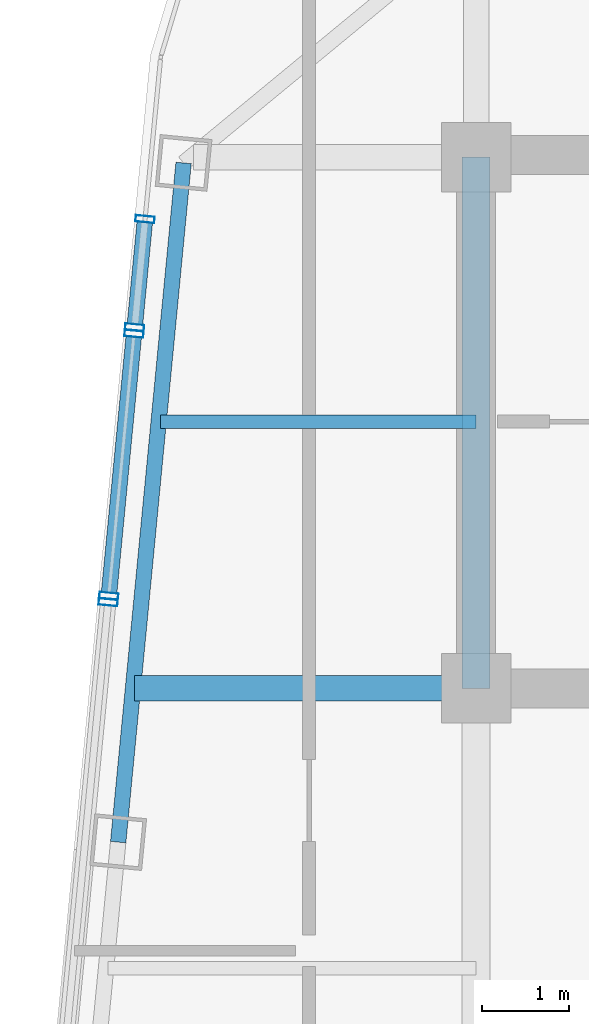
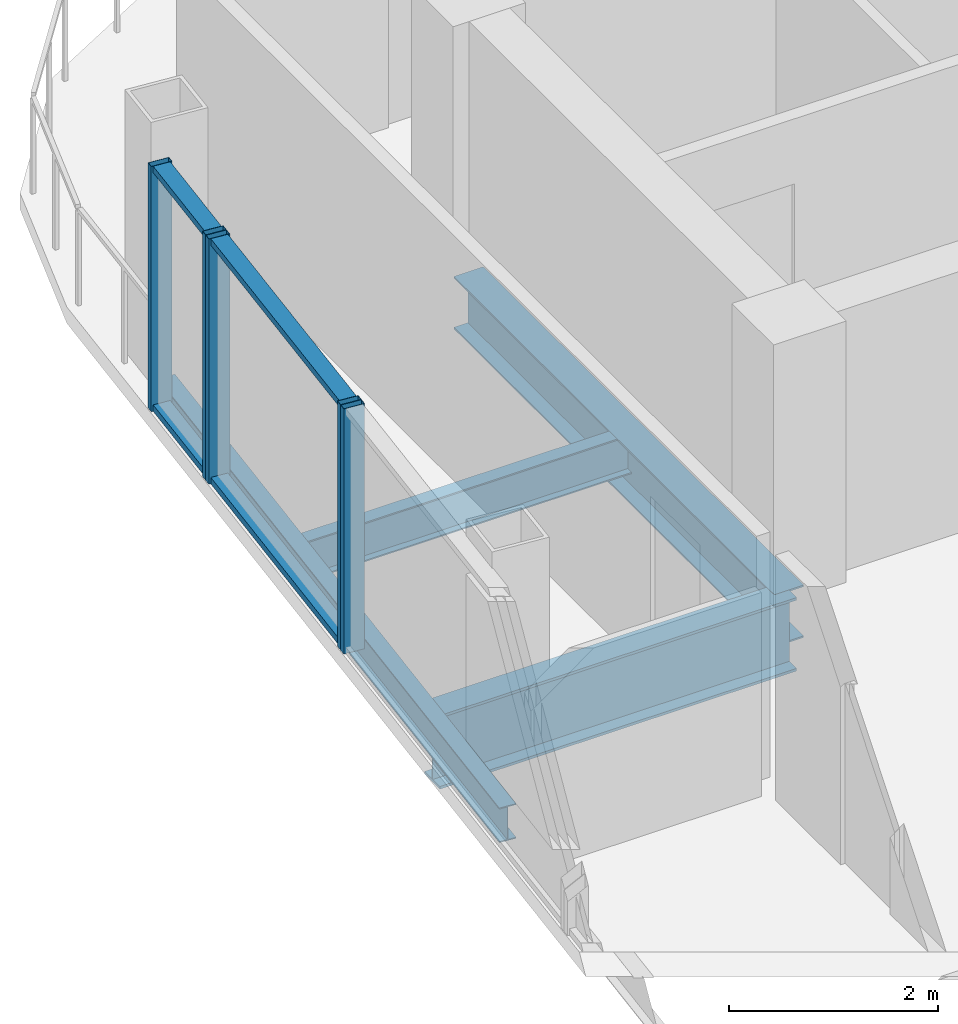
# One storey, part 9 of 23: 9 members, 4 beams, 3 elements without a shape of their own.
"""IFC4 building model written with IfcOpenShell, lengths in metres."""

from ifc_helpers import new_model, si_unit, direction, frame, origin, origin_2d, place, context, subcontext, project, spatial, hollow_rectangle, i_section, extrude, material, layer, layer_set, material_profile, profile_set, type_object, element, aggregate, save


model = new_model("IFC4")

# Units and contexts
model_context = context("Model", 3, precision=1e-05, world=origin(), true_north=direction((0.0, 1.0)))
body_context = subcontext(model_context, "Body", "Model", "MODEL_VIEW")
ifc_project = project(units=[si_unit("LENGTHUNIT", "METRE"), si_unit("AREAUNIT", "SQUARE_METRE"), si_unit("VOLUMEUNIT", "CUBIC_METRE"), si_unit("PLANEANGLEUNIT", "RADIAN"), si_unit("MASSUNIT", "GRAM", prefix="KILO")], contexts=[model_context])

# Site, building, storey
site_placement = place(None, origin())
site = spatial("IfcSite", under=ifc_project, at=site_placement, CompositionType="ELEMENT")
building_placement = place(site_placement, origin())
building = spatial("IfcBuilding", under=site, at=building_placement, Name="Qhalaya Broadcast Tower", CompositionType="ELEMENT")
storey_placement = place(building_placement, frame((0.0, 0.0, 261.14990234375)))
storey = spatial("IfcBuildingStorey", under=building, at=storey_placement, Name="L77", CompositionType="ELEMENT", Elevation=261.14990234375)

# Beams
ifc_material_1 = material(Name="Structural Steel ASTM A992 Grade 50", Category="steel")
ifc_material_profile_1 = material_profile(ifc_material_1, i_section(OverallWidth=0.154052734375, OverallDepth=0.458984375, WebThickness=0.009033203125, FlangeThickness=0.015380859375, at=origin_2d()), Name="W18X46")
ifc_profile_set_1 = profile_set([ifc_material_profile_1], Name="Structural Steel ASTM A992 Grade 50")
beam_type_1 = type_object("IfcBeamType", Name="Composite Floor Joist J04", PredefinedType="JOIST", material=ifc_profile_set_1)
beam_1_placement = place(storey_placement, frame((-13.015625, 6.89990234375, -0.41943359375), z_axis=(1.0, 0.0, 0.0), x_axis=(0.0, 1.0, 0.0)))
element("IfcBeam", 1, at=beam_1_placement, inside=storey, type_object=beam_type_1, Name="L77 J04 L77-JWE5W-1", PredefinedType="JOIST", context=body_context, shape_type="SweptSolid", body=[
    extrude(i_section(OverallWidth=0.154052734375, OverallDepth=0.458984375, WebThickness=0.009033203125, FlangeThickness=0.015380859375, at=origin_2d()), origin(), (0.0, 0.0, 1.0), 3.640625),
])
ifc_material_profile_2 = material_profile(ifc_material_1, i_section(OverallWidth=0.323974609375, OverallDepth=0.612060546875, WebThickness=0.0126953125, FlangeThickness=0.01904296875, at=origin_2d()), Name="W24X104")
ifc_profile_set_2 = profile_set([ifc_material_profile_2], Name="Structural Steel ASTM A992 Grade 50")
beam_type_2 = type_object("IfcBeamType", Name="Core Frame Tie Beam B04", PredefinedType="BEAM", material=ifc_profile_set_2)
beam_2_placement = place(storey_placement, frame((-9.375, 3.824951171875, -0.495849609375), z_axis=(0.0, 1.0, 0.0), x_axis=(-1.0, 0.0, 0.0)))
element("IfcBeam", 2, at=beam_2_placement, inside=storey, type_object=beam_type_2, Name="L77 B04 L77-CCN2", PredefinedType="BEAM", context=body_context, shape_type="SweptSolid", body=[
    extrude(i_section(OverallWidth=0.323974609375, OverallDepth=0.612060546875, WebThickness=0.0126953125, FlangeThickness=0.01904296875, at=origin_2d()), origin(), (0.0, 0.0, 1.0), 6.125),
])

# Curtain wall, members
ifc_material_2 = material(Name="Fired Architectural Terracotta", Category="masonry")
ifc_layer_1 = layer(ifc_material_2, 0.219970703125, Name="Fired Architectural Terracotta")
ifc_layer_set_1 = layer_set([ifc_layer_1], Name="Fired Architectural Terracotta")
curtain_wall_type_1 = type_object("IfcCurtainWallType", Name="Block-Cap Unitised Terracotta Spandrel Wall CW-07", PredefinedType="NOTDEFINED", material=ifc_layer_set_1)
curtain_wall_1_placement = place(storey_placement, origin())
curtain_wall_1 = element("IfcCurtainWall", 3, at=curtain_wall_1_placement, inside=storey, type_object=curtain_wall_type_1, Name="L77 Unitised Curtain Wall L77-CW-W1", PredefinedType="NOTDEFINED")
ifc_material_3 = material(Name="Anodised Aluminium 6063-T6", Category="aluminium")
ifc_material_profile_3 = material_profile(ifc_material_3, hollow_rectangle(XDim=0.074951171875, YDim=0.219970703125, WallThickness=0.00390625, at=origin_2d()), Name="ALU-MUL 75x220x4")
ifc_profile_set_3 = profile_set([ifc_material_profile_3], Name="Anodised Aluminium 6063-T6")
member_type_1 = type_object("IfcMemberType", Name="Unitised Curtain-Wall Mullion M01", PredefinedType="MULLION", material=ifc_profile_set_3)
member_1_placement = place(storey_placement, frame((-13.192626953125, 9.235107421875, 0.0), z_axis=(0.0, 0.0, 1.0), x_axis=(-0.095857322215, -0.995395084264, 0.0)))
member_1 = element("IfcMember", 4, at=member_1_placement, type_object=member_type_1, Name="CW-07 mullion 1", PredefinedType="MULLION", context=body_context, shape_type="SweptSolid", body=[
    extrude(hollow_rectangle(XDim=0.074951171875, YDim=0.219970703125, WallThickness=0.00390625, at=origin_2d()), origin(), (0.0, 0.0, 1.0), 2.860107421875),
])
member_2_placement = place(storey_placement, frame((-13.312744140625, 7.98779296875, 0.0), z_axis=(0.0, 0.0, 1.0), x_axis=(-0.095857322215, -0.995395084264, 0.0)))
member_2 = element("IfcMember", 5, at=member_2_placement, type_object=member_type_1, Name="CW-07 mullion 2", PredefinedType="MULLION", context=body_context, shape_type="SweptSolid", body=[
    extrude(hollow_rectangle(XDim=0.074951171875, YDim=0.219970703125, WallThickness=0.00390625, at=origin_2d()), origin(), (0.0, 0.0, 1.0), 2.860107421875),
])

ifc_material_4 = material(Name="Solar-Control Low-E Triple Glazing", Category="glass")
ifc_layer_2 = layer(ifc_material_4, 0.219970703125, Name="Solar-Control Low-E Triple Glazing")
ifc_layer_set_2 = layer_set([ifc_layer_2], Name="Solar-Control Low-E Triple Glazing")
curtain_wall_type_2 = type_object("IfcCurtainWallType", Name="High-Altitude Upper-Shaft Triple Low-E Curtain Wall CW-04", PredefinedType="NOTDEFINED", material=ifc_layer_set_2)
curtain_wall_2_placement = place(storey_placement, origin())
curtain_wall_2 = element("IfcCurtainWall", 6, at=curtain_wall_2_placement, inside=storey, type_object=curtain_wall_type_2, Name="L77 Unitised Curtain Wall L77-CW-W2", PredefinedType="NOTDEFINED")
member_3_placement = place(storey_placement, frame((-13.31982421875, 7.9130859375, 0.0), z_axis=(0.0, 0.0, 1.0), x_axis=(-0.095851485016, -0.995395646374, 0.0)))
member_3 = element("IfcMember", 7, at=member_3_placement, type_object=member_type_1, Name="CW-04 mullion 1", PredefinedType="MULLION", context=body_context, shape_type="SweptSolid", body=[
    extrude(hollow_rectangle(XDim=0.074951171875, YDim=0.219970703125, WallThickness=0.00390625, at=origin_2d()), origin(), (0.0, 0.0, 1.0), 2.860107421875),
])
member_4_placement = place(storey_placement, frame((-13.61083984375, 4.89208984375, 0.0), z_axis=(0.0, 0.0, 1.0), x_axis=(-0.095851485016, -0.995395646374, 0.0)))
member_4 = element("IfcMember", 8, at=member_4_placement, type_object=member_type_1, Name="CW-04 mullion 2", PredefinedType="MULLION", context=body_context, shape_type="SweptSolid", body=[
    extrude(hollow_rectangle(XDim=0.074951171875, YDim=0.219970703125, WallThickness=0.00390625, at=origin_2d()), origin(), (0.0, 0.0, 1.0), 2.860107421875),
])

# Curtain wall, member
curtain_wall_3_placement = place(storey_placement, origin())
curtain_wall_3 = element("IfcCurtainWall", 9, at=curtain_wall_3_placement, inside=storey, type_object=curtain_wall_type_1, Name="L77 Unitised Curtain Wall L77-CW-W3", PredefinedType="NOTDEFINED")
member_5_placement = place(storey_placement, frame((-13.617919921875, 4.8173828125, 0.0), z_axis=(0.0, 0.0, 1.0), x_axis=(-0.095851335452, -0.995395660776, 0.0)))
member_5 = element("IfcMember", 10, at=member_5_placement, type_object=member_type_1, Name="CW-07 mullion 1", PredefinedType="MULLION", context=body_context, shape_type="SweptSolid", body=[
    extrude(hollow_rectangle(XDim=0.074951171875, YDim=0.219970703125, WallThickness=0.00390625, at=origin_2d()), origin(), (0.0, 0.0, 1.0), 2.860107421875),
])
aggregate(curtain_wall_3, [member_5])

# Member
ifc_material_profile_4 = material_profile(ifc_material_3, hollow_rectangle(XDim=0.074951171875, YDim=0.179931640625, WallThickness=0.00390625, at=origin_2d()), Name="ALU-TRN 75x180x4")
ifc_profile_set_4 = profile_set([ifc_material_profile_4], Name="Anodised Aluminium 6063-T6")
member_type_2 = type_object("IfcMemberType", Name="Unitised Curtain-Wall Transom T01", PredefinedType="USERDEFINED", material=ifc_profile_set_4)
member_6_placement = place(storey_placement, frame((-13.1962890625, 9.19775390625, 0.03759765625), z_axis=(-0.095747947597, -0.995405611061, 0.0), x_axis=(0.0, 0.0, 1.0)))
member_6 = element("IfcMember", 11, at=member_6_placement, type_object=member_type_2, Name="CW-07 transom 1.1", ObjectType="TRANSOM", PredefinedType="USERDEFINED", context=body_context, shape_type="SweptSolid", body=[
    extrude(hollow_rectangle(XDim=0.074951171875, YDim=0.179931640625, WallThickness=0.00390625, at=origin_2d()), origin(), (0.0, 0.0, 1.0), 1.177978515625),
])

member_7_placement = place(storey_placement, frame((-13.1962890625, 9.19775390625, 2.822509765625), z_axis=(-0.095747947597, -0.995405611061, 0.0), x_axis=(0.0, 0.0, 1.0)))
member_7 = element("IfcMember", 12, at=member_7_placement, type_object=member_type_2, Name="CW-07 transom 1.2", ObjectType="TRANSOM", PredefinedType="USERDEFINED", context=body_context, shape_type="SweptSolid", body=[
    extrude(hollow_rectangle(XDim=0.074951171875, YDim=0.179931640625, WallThickness=0.00390625, at=origin_2d()), origin(), (0.0, 0.0, 1.0), 1.177978515625),
])

aggregate(curtain_wall_1, [member_1, member_2, member_6, member_7])

member_8_placement = place(storey_placement, frame((-13.323486328125, 7.875732421875, 0.03759765625), z_axis=(-0.095844425832, -0.995396326112, 0.0), x_axis=(0.0, 0.0, 1.0)))
member_8 = element("IfcMember", 13, at=member_8_placement, type_object=member_type_2, Name="CW-04 transom 1.1", ObjectType="TRANSOM", PredefinedType="USERDEFINED", context=body_context, shape_type="SweptSolid", body=[
    extrude(hollow_rectangle(XDim=0.074951171875, YDim=0.179931640625, WallThickness=0.00390625, at=origin_2d()), origin(), (0.0, 0.0, 1.0), 2.9599609375),
])

member_9_placement = place(storey_placement, frame((-13.323486328125, 7.875732421875, 2.822509765625), z_axis=(-0.095844425832, -0.995396326112, 0.0), x_axis=(0.0, 0.0, 1.0)))
member_9 = element("IfcMember", 14, at=member_9_placement, type_object=member_type_2, Name="CW-04 transom 1.2", ObjectType="TRANSOM", PredefinedType="USERDEFINED", context=body_context, shape_type="SweptSolid", body=[
    extrude(hollow_rectangle(XDim=0.074951171875, YDim=0.179931640625, WallThickness=0.00390625, at=origin_2d()), origin(), (0.0, 0.0, 1.0), 2.9599609375),
])

aggregate(curtain_wall_2, [member_3, member_4, member_8, member_9])

# Beams
ifc_material_profile_5 = material_profile(ifc_material_1, i_section(OverallWidth=0.2919921875, OverallDepth=0.85888671875, WebThickness=0.01708984375, FlangeThickness=0.031005859375, at=origin_2d()), Name="W33X169")
ifc_profile_set_5 = profile_set([ifc_material_profile_5], Name="Structural Steel ASTM A992 Grade 50")
beam_type_3 = type_object("IfcBeamType", Name="Upper Block Primary Girder PG4", PredefinedType="USERDEFINED", material=ifc_profile_set_5)
beam_3_placement = place(storey_placement, frame((-13.311767578125, 3.824951171875, -0.619384765625), z_axis=(1.0, 0.0, 0.0), x_axis=(0.0, 1.0, 0.0)))
element("IfcBeam", 15, at=beam_3_placement, inside=storey, type_object=beam_type_3, Name="L77 PG4 L77-PGYW3-1", ObjectType="GIRDER", PredefinedType="USERDEFINED", context=body_context, shape_type="SweptSolid", body=[
    extrude(i_section(OverallWidth=0.2919921875, OverallDepth=0.85888671875, WebThickness=0.01708984375, FlangeThickness=0.031005859375, at=origin_2d()), origin(), (0.0, 0.0, 1.0), 3.936767578125),
])
ifc_material_profile_6 = material_profile(ifc_material_1, i_section(OverallWidth=0.177978515625, OverallDepth=0.406005859375, WebThickness=0.0078125, FlangeThickness=0.0126953125, at=origin_2d()), Name="W16X40")
ifc_profile_set_6 = profile_set([ifc_material_profile_6], Name="Structural Steel ASTM A992 Grade 50")
beam_type_4 = type_object("IfcBeamType", Name="Upper Perimeter Spandrel Beam SP2", PredefinedType="SPANDREL", material=ifc_profile_set_6)
beam_4_placement = place(storey_placement, frame((-12.74853515625, 9.883056640625, -0.392822265625), z_axis=(-0.095834223619, -0.995397308407, 0.0), x_axis=(0.995397308407, -0.095834223619, 0.0)))
element("IfcBeam", 16, at=beam_4_placement, inside=storey, type_object=beam_type_4, Name="L77 SP2 L77-SPR-13", PredefinedType="SPANDREL", context=body_context, shape_type="SweptSolid", body=[
    extrude(i_section(OverallWidth=0.177978515625, OverallDepth=0.406005859375, WebThickness=0.0078125, FlangeThickness=0.0126953125, at=origin_2d()), origin(), (0.0, 0.0, 1.0), 7.86669921875),
])

save(model, "model.ifc")
